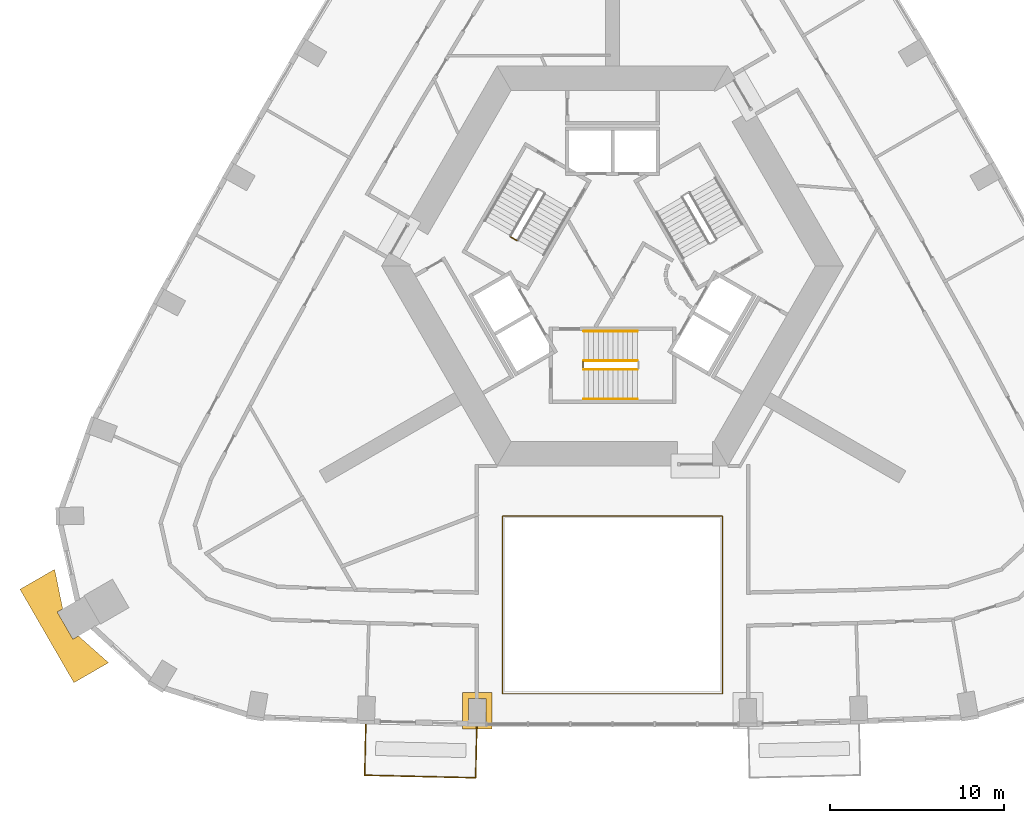
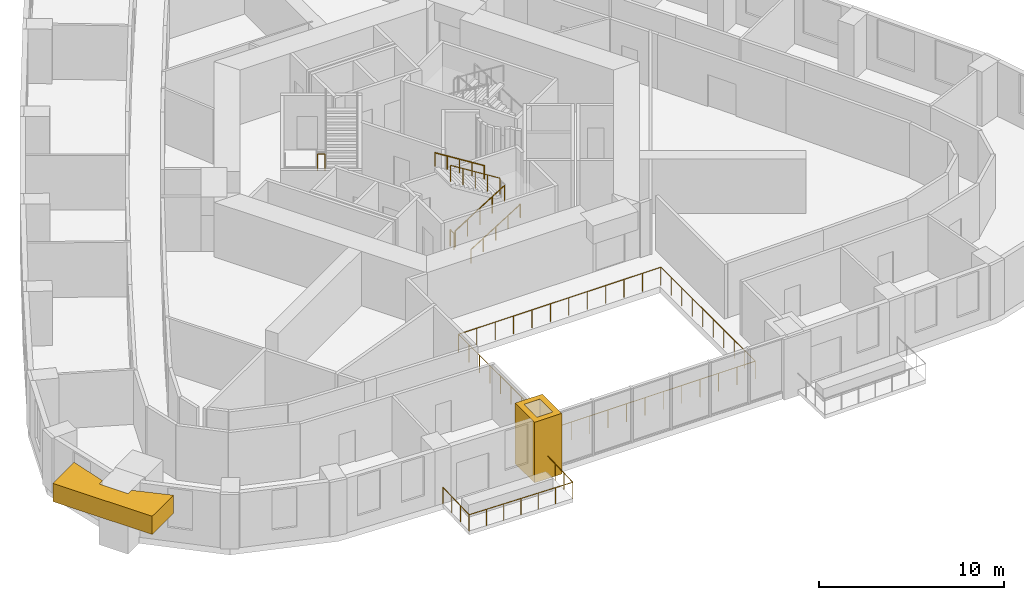
# One storey, part 11 of 13: 8 railings, 2 coverings.
"""IFC4 building model written with IfcOpenShell, lengths in metres."""

from ifc_helpers import new_model, si_unit, direction, frame, origin, origin_2d, place, context, subcontext, project, spatial, polyline, circle, outline, extrude, material, type_object, element, save


model = new_model("IFC4")

# Units and contexts
model_context = context("Model", 3, precision=1e-05, world=origin(), true_north=direction((0.0, 1.0)))
body_context = subcontext(model_context, "Body", "Model", "MODEL_VIEW")
ifc_project = project(units=[si_unit("LENGTHUNIT", "METRE"), si_unit("AREAUNIT", "SQUARE_METRE"), si_unit("VOLUMEUNIT", "CUBIC_METRE"), si_unit("PLANEANGLEUNIT", "RADIAN"), si_unit("MASSUNIT", "GRAM", prefix="KILO")], contexts=[model_context])

# Site, building, storey
site_placement = place(None, origin())
site = spatial("IfcSite", under=ifc_project, at=site_placement, CompositionType="ELEMENT")
building_placement = place(site_placement, origin())
building = spatial("IfcBuilding", under=site, at=building_placement, Name="Entoto Arch Interchange Tower", CompositionType="ELEMENT")
storey_placement = place(building_placement, frame((0.0, 0.0, 231.800048828125)))
storey = spatial("IfcBuildingStorey", under=building, at=storey_placement, Name="L52", CompositionType="ELEMENT", Elevation=231.800048828125)

# Railings
ifc_material_1 = material(Name="Stainless steel 1.4301", Category="steel")
railing_type_1 = type_object("IfcRailingType", Name="ATRIUM GUARD 1200 STEEL AND GLASS", PredefinedType="GUARDRAIL", material=ifc_material_1)
railing_1_placement = place(storey_placement, frame((6.320068359375, -22.097900390625, 0.0)))
element("IfcRailing", 1, at=railing_1_placement, inside=storey, type_object=railing_type_1, Name="Atrium guard L52", PredefinedType="GUARDRAIL", context=body_context, shape_type="SweptSolid", body=[
    extrude(circle(Radius=0.02392578125, at=origin_2d()), frame((0.0, 0.0, 1.17578125), z_axis=(-1.0, 0.0, 0.0), x_axis=(0.0, -1.0, 0.0)), (0.0, 0.0, 1.0), 12.64013671875),
    extrude(circle(Radius=0.02392578125, at=origin_2d()), frame((-12.64013671875, 0.0, 1.17578125), z_axis=(0.0, 1.0, 0.0), x_axis=(-1.0, 0.0, 0.0)), (0.0, 0.0, 1.0), 10.218017578125),
    extrude(circle(Radius=0.02392578125, at=origin_2d()), frame((-12.64013671875, 10.218017578125, 1.17578125), z_axis=(1.0, 0.0, 0.0), x_axis=(0.0, 1.0, 0.0)), (0.0, 0.0, 1.0), 12.64013671875),
    extrude(circle(Radius=0.02392578125, at=origin_2d()), frame((0.0, 10.218017578125, 1.17578125), z_axis=(0.0, -1.0, 0.0), x_axis=(1.0, 0.0, 0.0)), (0.0, 0.0, 1.0), 10.218017578125),
    extrude(circle(Radius=0.02099609375, at=origin_2d()), origin(), (0.0, 0.0, 1.0), 1.15185546875),
    extrude(circle(Radius=0.02099609375, at=origin_2d()), frame((-1.149169921875, 0.0, 0.0)), (0.0, 0.0, 1.0), 1.15185546875),
    extrude(circle(Radius=0.02099609375, at=origin_2d()), frame((-2.298095703125, 0.0, 0.0)), (0.0, 0.0, 1.0), 1.15185546875),
    extrude(circle(Radius=0.02099609375, at=origin_2d()), frame((-3.447265625, 0.0, 0.0)), (0.0, 0.0, 1.0), 1.15185546875),
    extrude(circle(Radius=0.02099609375, at=origin_2d()), frame((-4.596435546875, 0.0, 0.0)), (0.0, 0.0, 1.0), 1.15185546875),
    extrude(circle(Radius=0.02099609375, at=origin_2d()), frame((-5.74560546875, 0.0, 0.0)), (0.0, 0.0, 1.0), 1.15185546875),
    extrude(circle(Radius=0.02099609375, at=origin_2d()), frame((-6.89453125, 0.0, 0.0)), (0.0, 0.0, 1.0), 1.15185546875),
    extrude(circle(Radius=0.02099609375, at=origin_2d()), frame((-8.043701171875, 0.0, 0.0)), (0.0, 0.0, 1.0), 1.15185546875),
    extrude(circle(Radius=0.02099609375, at=origin_2d()), frame((-9.19287109375, 0.0, 0.0)), (0.0, 0.0, 1.0), 1.15185546875),
    extrude(circle(Radius=0.02099609375, at=origin_2d()), frame((-10.342041015625, 0.0, 0.0)), (0.0, 0.0, 1.0), 1.15185546875),
    extrude(circle(Radius=0.02099609375, at=origin_2d()), frame((-11.490966796875, 0.0, 0.0)), (0.0, 0.0, 1.0), 1.15185546875),
    extrude(circle(Radius=0.02099609375, at=origin_2d()), frame((-12.64013671875, 0.0, 0.0)), (0.0, 0.0, 1.0), 1.15185546875),
    extrude(circle(Radius=0.02099609375, at=origin_2d()), frame((-12.64013671875, 1.13525390625, 0.0)), (0.0, 0.0, 1.0), 1.15185546875),
    extrude(circle(Radius=0.02099609375, at=origin_2d()), frame((-12.64013671875, 2.270751953125, 0.0)), (0.0, 0.0, 1.0), 1.15185546875),
    extrude(circle(Radius=0.02099609375, at=origin_2d()), frame((-12.64013671875, 3.406005859375, 0.0)), (0.0, 0.0, 1.0), 1.15185546875),
    extrude(circle(Radius=0.02099609375, at=origin_2d()), frame((-12.64013671875, 4.541259765625, 0.0)), (0.0, 0.0, 1.0), 1.15185546875),
    extrude(circle(Radius=0.02099609375, at=origin_2d()), frame((-12.64013671875, 5.6767578125, 0.0)), (0.0, 0.0, 1.0), 1.15185546875),
    extrude(circle(Radius=0.02099609375, at=origin_2d()), frame((-12.64013671875, 6.81201171875, 0.0)), (0.0, 0.0, 1.0), 1.15185546875),
    extrude(circle(Radius=0.02099609375, at=origin_2d()), frame((-12.64013671875, 7.947265625, 0.0)), (0.0, 0.0, 1.0), 1.15185546875),
    extrude(circle(Radius=0.02099609375, at=origin_2d()), frame((-12.64013671875, 9.082763671875, 0.0)), (0.0, 0.0, 1.0), 1.15185546875),
    extrude(circle(Radius=0.02099609375, at=origin_2d()), frame((-12.64013671875, 10.218017578125, 0.0)), (0.0, 0.0, 1.0), 1.15185546875),
    extrude(circle(Radius=0.02099609375, at=origin_2d()), frame((-11.490966796875, 10.218017578125, 0.0)), (0.0, 0.0, 1.0), 1.15185546875),
    extrude(circle(Radius=0.02099609375, at=origin_2d()), frame((-10.342041015625, 10.218017578125, 0.0)), (0.0, 0.0, 1.0), 1.15185546875),
    extrude(circle(Radius=0.02099609375, at=origin_2d()), frame((-9.19287109375, 10.218017578125, 0.0)), (0.0, 0.0, 1.0), 1.15185546875),
    extrude(circle(Radius=0.02099609375, at=origin_2d()), frame((-8.043701171875, 10.218017578125, 0.0)), (0.0, 0.0, 1.0), 1.15185546875),
    extrude(circle(Radius=0.02099609375, at=origin_2d()), frame((-6.89453125, 10.218017578125, 0.0)), (0.0, 0.0, 1.0), 1.15185546875),
    extrude(circle(Radius=0.02099609375, at=origin_2d()), frame((-5.74560546875, 10.218017578125, 0.0)), (0.0, 0.0, 1.0), 1.15185546875),
    extrude(circle(Radius=0.02099609375, at=origin_2d()), frame((-4.596435546875, 10.218017578125, 0.0)), (0.0, 0.0, 1.0), 1.15185546875),
    extrude(circle(Radius=0.02099609375, at=origin_2d()), frame((-3.447265625, 10.218017578125, 0.0)), (0.0, 0.0, 1.0), 1.15185546875),
    extrude(circle(Radius=0.02099609375, at=origin_2d()), frame((-2.298095703125, 10.218017578125, 0.0)), (0.0, 0.0, 1.0), 1.15185546875),
    extrude(circle(Radius=0.02099609375, at=origin_2d()), frame((-1.149169921875, 10.218017578125, 0.0)), (0.0, 0.0, 1.0), 1.15185546875),
    extrude(circle(Radius=0.02099609375, at=origin_2d()), frame((0.0, 10.218017578125, 0.0)), (0.0, 0.0, 1.0), 1.15185546875),
    extrude(circle(Radius=0.02099609375, at=origin_2d()), frame((0.0, 9.082763671875, 0.0)), (0.0, 0.0, 1.0), 1.15185546875),
    extrude(circle(Radius=0.02099609375, at=origin_2d()), frame((0.0, 7.947265625, 0.0)), (0.0, 0.0, 1.0), 1.15185546875),
    extrude(circle(Radius=0.02099609375, at=origin_2d()), frame((0.0, 6.81201171875, 0.0)), (0.0, 0.0, 1.0), 1.15185546875),
    extrude(circle(Radius=0.02099609375, at=origin_2d()), frame((0.0, 5.6767578125, 0.0)), (0.0, 0.0, 1.0), 1.15185546875),
    extrude(circle(Radius=0.02099609375, at=origin_2d()), frame((0.0, 4.541259765625, 0.0)), (0.0, 0.0, 1.0), 1.15185546875),
    extrude(circle(Radius=0.02099609375, at=origin_2d()), frame((0.0, 3.406005859375, 0.0)), (0.0, 0.0, 1.0), 1.15185546875),
    extrude(circle(Radius=0.02099609375, at=origin_2d()), frame((0.0, 2.270751953125, 0.0)), (0.0, 0.0, 1.0), 1.15185546875),
    extrude(circle(Radius=0.02099609375, at=origin_2d()), frame((0.0, 1.13525390625, 0.0)), (0.0, 0.0, 1.0), 1.15185546875),
])
railing_type_2 = type_object("IfcRailingType", Name="GUARD 1100 STEEL AND GLASS", PredefinedType="GUARDRAIL", material=ifc_material_1)
railing_2_placement = place(storey_placement, frame((-14.18505859375, -23.830078125, 0.0)))
element("IfcRailing", 2, at=railing_2_placement, inside=storey, type_object=railing_type_2, Name="Balcony guard S-02 L52", PredefinedType="GUARDRAIL", context=body_context, shape_type="SweptSolid", body=[
    extrude(circle(Radius=0.02392578125, at=origin_2d()), frame((0.0, 0.0, 1.076171875), z_axis=(-0.023009057152, -0.9997352566, 0.0), x_axis=(0.9997352566, -0.023009057152, 0.0)), (0.0, 0.0, 1.0), 2.94970703125),
    extrude(circle(Radius=0.02392578125, at=origin_2d()), frame((-0.06787109375, -2.948974609375, 1.076171875), z_axis=(0.999731652604, -0.023165119928, 0.0), x_axis=(0.023165119928, 0.999731652604, 0.0)), (0.0, 0.0, 1.0), 6.38671875),
    extrude(circle(Radius=0.02392578125, at=origin_2d()), frame((6.317138671875, -3.096923828125, 1.076171875), z_axis=(0.023009057152, 0.9997352566, 0.0), x_axis=(-0.9997352566, 0.023009057152, 0.0)), (0.0, 0.0, 1.0), 2.94970703125),
    extrude(circle(Radius=0.02099609375, at=origin_2d()), origin(), (0.0, 0.0, 1.0), 1.052001953125),
    extrude(circle(Radius=0.02099609375, at=origin_2d()), frame((-0.022705078125, -0.98291015625, 0.0)), (0.0, 0.0, 1.0), 1.052001953125),
    extrude(circle(Radius=0.02099609375, at=origin_2d()), frame((-0.045166015625, -1.966064453125, 0.0)), (0.0, 0.0, 1.0), 1.052001953125),
    extrude(circle(Radius=0.02099609375, at=origin_2d()), frame((-0.06787109375, -2.948974609375, 0.0)), (0.0, 0.0, 1.0), 1.052001953125),
    extrude(circle(Radius=0.02099609375, at=origin_2d()), frame((0.996337890625, -2.9736328125, 0.0)), (0.0, 0.0, 1.0), 1.052001953125),
    extrude(circle(Radius=0.02099609375, at=origin_2d()), frame((2.060546875, -2.998291015625, 0.0)), (0.0, 0.0, 1.0), 1.052001953125),
    extrude(circle(Radius=0.02099609375, at=origin_2d()), frame((3.12451171875, -3.02294921875, 0.0)), (0.0, 0.0, 1.0), 1.052001953125),
    extrude(circle(Radius=0.02099609375, at=origin_2d()), frame((4.188720703125, -3.047607421875, 0.0)), (0.0, 0.0, 1.0), 1.052001953125),
    extrude(circle(Radius=0.02099609375, at=origin_2d()), frame((5.2529296875, -3.072265625, 0.0)), (0.0, 0.0, 1.0), 1.052001953125),
    extrude(circle(Radius=0.02099609375, at=origin_2d()), frame((6.317138671875, -3.096923828125, 0.0)), (0.0, 0.0, 1.0), 1.052001953125),
    extrude(circle(Radius=0.02099609375, at=origin_2d()), frame((6.33984375, -2.114013671875, 0.0)), (0.0, 0.0, 1.0), 1.052001953125),
    extrude(circle(Radius=0.02099609375, at=origin_2d()), frame((6.3623046875, -1.130859375, 0.0)), (0.0, 0.0, 1.0), 1.052001953125),
    extrude(circle(Radius=0.02099609375, at=origin_2d()), frame((6.385009765625, -0.14794921875, 0.0)), (0.0, 0.0, 1.0), 1.052001953125),
])

# Coverings
ifc_material_2 = material(Name="Board-marked precast concrete C50/60", Category="concrete")
covering_type = type_object("IfcCoveringType", Name="PRECAST FRAME COURSE", PredefinedType="CLADDING", material=ifc_material_2)
covering_1_placement = place(storey_placement, frame((0.0, 0.0, 2.39990234375)))
element("IfcCovering", 3, at=covering_1_placement, inside=storey, type_object=covering_type, Name="Corner pilaster head SW L51-L52", PredefinedType="CLADDING", context=body_context, shape_type="SweptSolid", body=[
    extrude(outline(polyline([(-30.968017578125, -21.458984375), (-34.068115234375, -16.089111328125), (-32.075927734375, -14.93896484375), (-31.612060546875, -17.2119140625), (-31.927978515625, -17.39501953125), (-31.028076171875, -18.952880859375), (-30.7119140625, -18.77001953125), (-28.97607421875, -20.30908203125), (-30.968017578125, -21.458984375)])), origin(), (0.0, 0.0, 1.0), 1.199951171875),
])
covering_2_placement = place(storey_placement, frame((0.0, 0.0, -0.400146484375)))
element("IfcCovering", 4, at=covering_2_placement, inside=storey, type_object=covering_type, Name="Gate pier L52", PredefinedType="CLADDING", context=body_context, shape_type="SweptSolid", body=[
    extrude(outline(polyline([(-8.637939453125, -22.028076171875), (-6.93798828125, -22.028076171875), (-6.93798828125, -24.1279296875), (-8.637939453125, -24.1279296875), (-8.637939453125, -22.028076171875)]), holes=[polyline([(-8.2880859375, -22.3779296875), (-8.2880859375, -23.778076171875), (-7.2880859375, -23.778076171875), (-7.2880859375, -22.3779296875), (-8.2880859375, -22.3779296875)])]), origin(), (0.0, 0.0, 1.0), 4.0),
])

# Railings
railing_type_3 = type_object("IfcRailingType", Name="STAIR GUARD 1100 STEEL", PredefinedType="GUARDRAIL", material=ifc_material_1)
railing_3_placement = place(storey_placement, frame((-1.64990234375, -3.449951171875, 0.175048828125)))
element("IfcRailing", 5, at=railing_3_placement, inside=storey, type_object=railing_type_3, Name="L52 ST-S stair guard 1", PredefinedType="GUARDRAIL", context=body_context, shape_type="SweptSolid", body=[
    extrude(circle(Radius=0.02392578125, at=origin_2d()), frame((0.0, 0.0, 1.076171875), z_axis=(0.848009633417, 0.0, 0.529980812513), x_axis=(0.0, 1.0, 0.0)), (0.0, 0.0, 1.0), 3.6318359375),
    extrude(circle(Radius=0.02099609375, at=origin_2d()), origin(), (0.0, 0.0, 1.0), 1.052001953125),
    extrude(circle(Radius=0.02099609375, at=origin_2d()), frame((0.77001953125, 0.0, 0.481201171875)), (0.0, 0.0, 1.0), 1.052001953125),
    extrude(circle(Radius=0.02099609375, at=origin_2d()), frame((1.5400390625, 0.0, 0.96240234375)), (0.0, 0.0, 1.0), 1.052001953125),
    extrude(circle(Radius=0.02099609375, at=origin_2d()), frame((2.309814453125, 0.0, 1.443603515625)), (0.0, 0.0, 1.0), 1.052001953125),
    extrude(circle(Radius=0.02099609375, at=origin_2d()), frame((3.079833984375, 0.0, 1.9248046875)), (0.0, 0.0, 1.0), 1.052001953125),
])
railing_4_placement = place(storey_placement, frame((1.429931640625, -2.949951171875, 2.27490234375)))
element("IfcRailing", 6, at=railing_4_placement, inside=storey, type_object=railing_type_3, Name="L52 ST-S stair guard 3", PredefinedType="GUARDRAIL", context=body_context, shape_type="SweptSolid", body=[
    extrude(circle(Radius=0.02392578125, at=origin_2d()), frame((0.0, 0.0, 1.076171875), z_axis=(-0.847979421464, 0.0, 0.530029150871), x_axis=(0.0, -1.0, 0.0)), (0.0, 0.0, 1.0), 3.632080078125),
    extrude(circle(Radius=0.02099609375, at=origin_2d()), origin(), (0.0, 0.0, 1.0), 1.052001953125),
    extrude(circle(Radius=0.02099609375, at=origin_2d()), frame((-0.77001953125, 0.0, 0.481201171875)), (0.0, 0.0, 1.0), 1.052001953125),
    extrude(circle(Radius=0.02099609375, at=origin_2d()), frame((-1.5400390625, 0.0, 0.96240234375)), (0.0, 0.0, 1.0), 1.052001953125),
    extrude(circle(Radius=0.02099609375, at=origin_2d()), frame((-2.309814453125, 0.0, 1.44384765625)), (0.0, 0.0, 1.0), 1.052001953125),
    extrude(circle(Radius=0.02099609375, at=origin_2d()), frame((-3.079833984375, 0.0, 1.925048828125)), (0.0, 0.0, 1.0), 1.052001953125),
])
railing_5_placement = place(storey_placement, frame((-1.699951171875, -3.39990234375, 0.0)))
element("IfcRailing", 7, at=railing_5_placement, inside=storey, type_object=railing_type_3, Name="L52 ST-S stair guard 4", PredefinedType="GUARDRAIL", context=body_context, shape_type="SweptSolid", body=[
    extrude(circle(Radius=0.02392578125, at=origin_2d()), frame((0.0, 0.0, 1.076171875), z_axis=(0.0, 1.0, 0.0), x_axis=(-1.0, 0.0, 0.0)), (0.0, 0.0, 1.0), 0.39990234375),
    extrude(circle(Radius=0.02099609375, at=origin_2d()), origin(), (0.0, 0.0, 1.0), 1.052001953125),
    extrude(circle(Radius=0.02099609375, at=origin_2d()), frame((0.0, 0.39990234375, 0.0)), (0.0, 0.0, 1.0), 1.052001953125),
])
railing_6_placement = place(storey_placement, frame((-5.849609375, 4.168212890625, 2.099853515625)))
element("IfcRailing", 8, at=railing_6_placement, inside=storey, type_object=railing_type_3, Name="L52 ST-NW stair guard 2", PredefinedType="GUARDRAIL", context=body_context, shape_type="SweptSolid", body=[
    extrude(circle(Radius=0.02392578125, at=origin_2d()), frame((0.0, 0.0, 1.076171875), z_axis=(0.866094119867, -0.499880961361, 0.0), x_axis=(0.499880961361, 0.866094119867, 0.0)), (0.0, 0.0, 1.0), 0.39990234375),
    extrude(circle(Radius=0.02099609375, at=origin_2d()), origin(), (0.0, 0.0, 1.0), 1.052001953125),
    extrude(circle(Radius=0.02099609375, at=origin_2d()), frame((0.346435546875, -0.199951171875, 0.0)), (0.0, 0.0, 1.0), 1.052001953125),
])
railing_type_4 = type_object("IfcRailingType", Name="STAIR HANDRAIL 900 STEEL", PredefinedType="HANDRAIL", material=ifc_material_1)
railing_7_placement = place(storey_placement, frame((-1.64990234375, -5.14990234375, 0.175048828125)))
element("IfcRailing", 9, at=railing_7_placement, inside=storey, type_object=railing_type_4, Name="L52 ST-S stair handrail 1", PredefinedType="HANDRAIL", context=body_context, shape_type="SweptSolid", body=[
    extrude(circle(Radius=0.02392578125, at=origin_2d()), frame((0.0, 0.0, 0.8759765625), z_axis=(0.848009633417, 0.0, 0.529980812513), x_axis=(0.0, 1.0, 0.0)), (0.0, 0.0, 1.0), 3.6318359375),
    extrude(circle(Radius=0.02099609375, at=origin_2d()), origin(), (0.0, 0.0, 1.0), 0.851806640625),
    extrude(circle(Radius=0.02099609375, at=origin_2d()), frame((0.77001953125, 0.0, 0.481201171875)), (0.0, 0.0, 1.0), 0.851806640625),
    extrude(circle(Radius=0.02099609375, at=origin_2d()), frame((1.5400390625, 0.0, 0.96240234375)), (0.0, 0.0, 1.0), 0.851806640625),
    extrude(circle(Radius=0.02099609375, at=origin_2d()), frame((2.309814453125, 0.0, 1.443603515625)), (0.0, 0.0, 1.0), 0.851806640625),
    extrude(circle(Radius=0.02099609375, at=origin_2d()), frame((3.079833984375, 0.0, 1.9248046875)), (0.0, 0.0, 1.0), 0.851806640625),
])
railing_8_placement = place(storey_placement, frame((1.429931640625, -1.25, 2.27490234375)))
element("IfcRailing", 10, at=railing_8_placement, inside=storey, type_object=railing_type_4, Name="L52 ST-S stair handrail 2", PredefinedType="HANDRAIL", context=body_context, shape_type="SweptSolid", body=[
    extrude(circle(Radius=0.02392578125, at=origin_2d()), frame((0.0, 0.0, 0.8759765625), z_axis=(-0.847979421464, 0.0, 0.530029150871), x_axis=(0.0, -1.0, 0.0)), (0.0, 0.0, 1.0), 3.632080078125),
    extrude(circle(Radius=0.02099609375, at=origin_2d()), origin(), (0.0, 0.0, 1.0), 0.851806640625),
    extrude(circle(Radius=0.02099609375, at=origin_2d()), frame((-0.77001953125, 0.0, 0.481201171875)), (0.0, 0.0, 1.0), 0.851806640625),
    extrude(circle(Radius=0.02099609375, at=origin_2d()), frame((-1.5400390625, 0.0, 0.96240234375)), (0.0, 0.0, 1.0), 0.851806640625),
    extrude(circle(Radius=0.02099609375, at=origin_2d()), frame((-2.309814453125, 0.0, 1.44384765625)), (0.0, 0.0, 1.0), 0.851806640625),
    extrude(circle(Radius=0.02099609375, at=origin_2d()), frame((-3.079833984375, 0.0, 1.925048828125)), (0.0, 0.0, 1.0), 0.851806640625),
])

save(model, "model.ifc")
